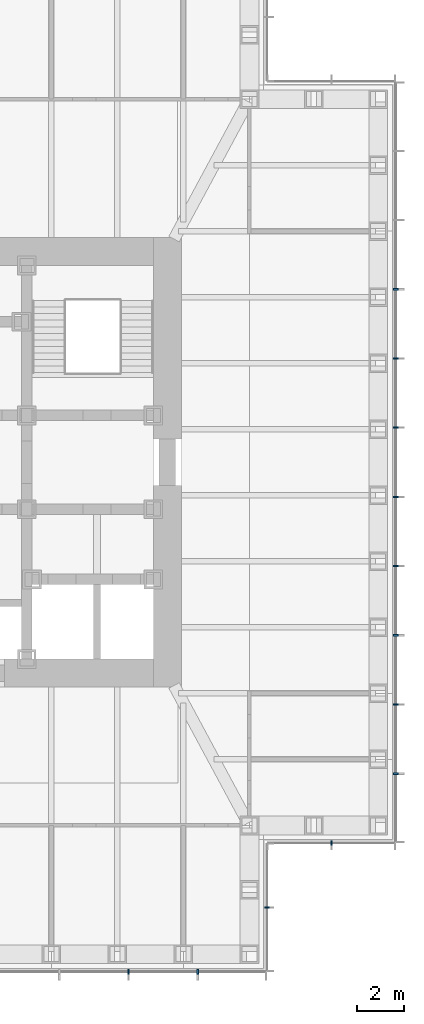
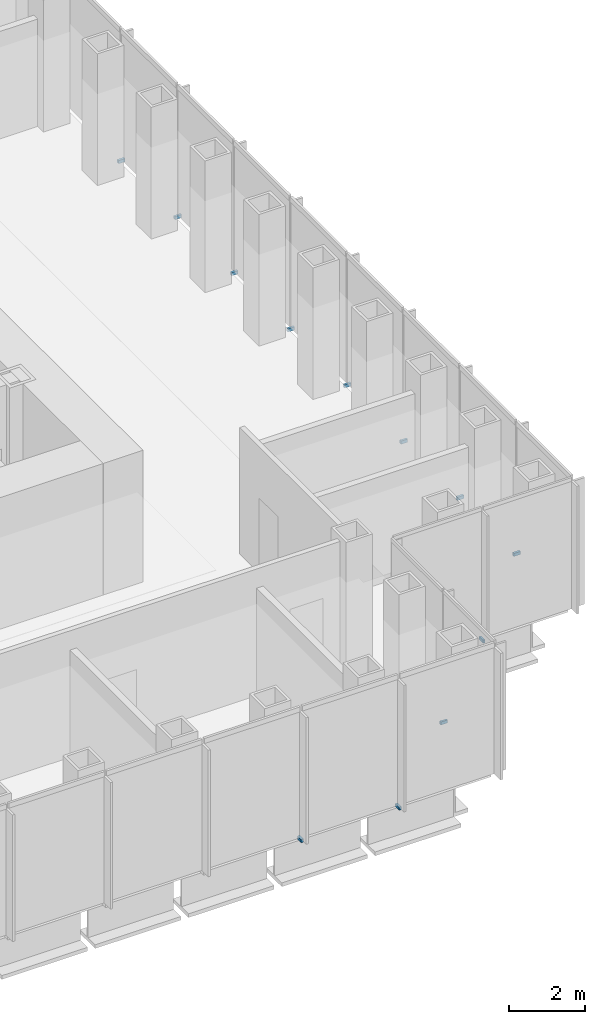
# One storey, part 13 of 16: 12 discrete accessories.
"""IFC4 building model written with IfcOpenShell, lengths in metres."""

from ifc_helpers import new_model, si_unit, direction, frame, origin, origin_2d, place, context, subcontext, project, spatial, rectangle, extrude, element, save


model = new_model("IFC4")

# Units and contexts
model_context = context("Model", 3, precision=1e-05, world=origin(), true_north=direction((0.0, 1.0)))
body_context = subcontext(model_context, "Body", "Model", "MODEL_VIEW")
ifc_project = project(units=[si_unit("LENGTHUNIT", "METRE"), si_unit("AREAUNIT", "SQUARE_METRE"), si_unit("VOLUMEUNIT", "CUBIC_METRE"), si_unit("PLANEANGLEUNIT", "RADIAN"), si_unit("MASSUNIT", "GRAM", prefix="KILO")], contexts=[model_context])

# Site, building, storey
site_placement = place(None, origin())
site = spatial("IfcSite", under=ifc_project, at=site_placement, CompositionType="ELEMENT")
building_placement = place(site_placement, origin())
building = spatial("IfcBuilding", under=site, at=building_placement, Name="Daluyong Arena Tower", CompositionType="ELEMENT")
storey_placement = place(building_placement, frame((0.0, 0.0, 219.10009765625)))
storey = spatial("IfcBuildingStorey", under=building, at=storey_placement, Name="L49", CompositionType="ELEMENT", Elevation=219.10009765625)

# Discrete accessories
for number, where, z_axis, x_axis, name in (
    (1, (66.3408203125, 58.25, -0.10009765625), (0.0, 0.0, 1.0), (1.0, 0.0, 0.0), "curtain wall L49 S anchor bracket 10"),
    (2, (69.29541015625, 58.25, -0.10009765625), (0.0, 0.0, 1.0), (1.0, 0.0, 0.0), "curtain wall L49 S anchor bracket 11"),
):
    element("IfcDiscreteAccessory", number, at=place(storey_placement, frame(where, z_axis=z_axis, x_axis=x_axis)), inside=storey, Name=name, PredefinedType="BRACKET", context=body_context, shape_type="SweptSolid", body=[
        extrude(rectangle(XDim=0.070068359375, YDim=0.199951171875, at=origin_2d()), origin(), (0.0, 0.0, 1.0), 0.10009765625),
    ])
for number, where, z_axis, x_axis, name in (
    (3, (72.25, 61.0, -0.10009765625), (0.0, 0.0, 1.0), (0.0, 1.0, 0.0), "curtain wall L49 SE-E anchor bracket 2"),
    (4, (75.0, 63.75, -0.10009765625), (0.0, 0.0, 1.0), (1.0, 0.0, 0.0), "curtain wall L49 SE-S anchor bracket 2"),
):
    element("IfcDiscreteAccessory", number, at=place(storey_placement, frame(where, z_axis=z_axis, x_axis=x_axis)), inside=storey, Name=name, PredefinedType="BRACKET", context=body_context, shape_type="SweptSolid", body=[
        extrude(rectangle(XDim=0.06005859375, YDim=0.199951171875, at=origin_2d()), origin(), (0.0, 0.0, 1.0), 0.10009765625),
    ])
for number, where, z_axis, x_axis, name in (
    (5, (77.75, 66.70458984375, -0.10009765625), (0.0, 0.0, 1.0), (0.0, 1.0, 0.0), "curtain wall L49 E anchor bracket 2"),
    (6, (77.75, 69.6591796875, -0.10009765625), (0.0, 0.0, 1.0), (0.0, 1.0, 0.0), "curtain wall L49 E anchor bracket 3"),
    (7, (77.75, 72.613525390625, -0.10009765625), (0.0, 0.0, 1.0), (0.0, 1.0, 0.0), "curtain wall L49 E anchor bracket 4"),
    (8, (77.75, 75.568115234375, -0.10009765625), (0.0, 0.0, 1.0), (0.0, 1.0, 0.0), "curtain wall L49 E anchor bracket 5"),
    (9, (77.75, 78.522705078125, -0.10009765625), (0.0, 0.0, 1.0), (0.0, 1.0, 0.0), "curtain wall L49 E anchor bracket 6"),
    (10, (77.75, 81.477294921875, -0.10009765625), (0.0, 0.0, 1.0), (0.0, 1.0, 0.0), "curtain wall L49 E anchor bracket 7"),
    (11, (77.75, 84.431884765625, -0.10009765625), (0.0, 0.0, 1.0), (0.0, 1.0, 0.0), "curtain wall L49 E anchor bracket 8"),
    (12, (77.75, 87.386474609375, -0.10009765625), (0.0, 0.0, 1.0), (0.0, 1.0, 0.0), "curtain wall L49 E anchor bracket 9"),
):
    element("IfcDiscreteAccessory", number, at=place(storey_placement, frame(where, z_axis=z_axis, x_axis=x_axis)), inside=storey, Name=name, PredefinedType="BRACKET", context=body_context, shape_type="SweptSolid", body=[
        extrude(rectangle(XDim=0.070068359375, YDim=0.199951171875, at=origin_2d()), origin(), (0.0, 0.0, 1.0), 0.10009765625),
    ])

save(model, "model.ifc")
